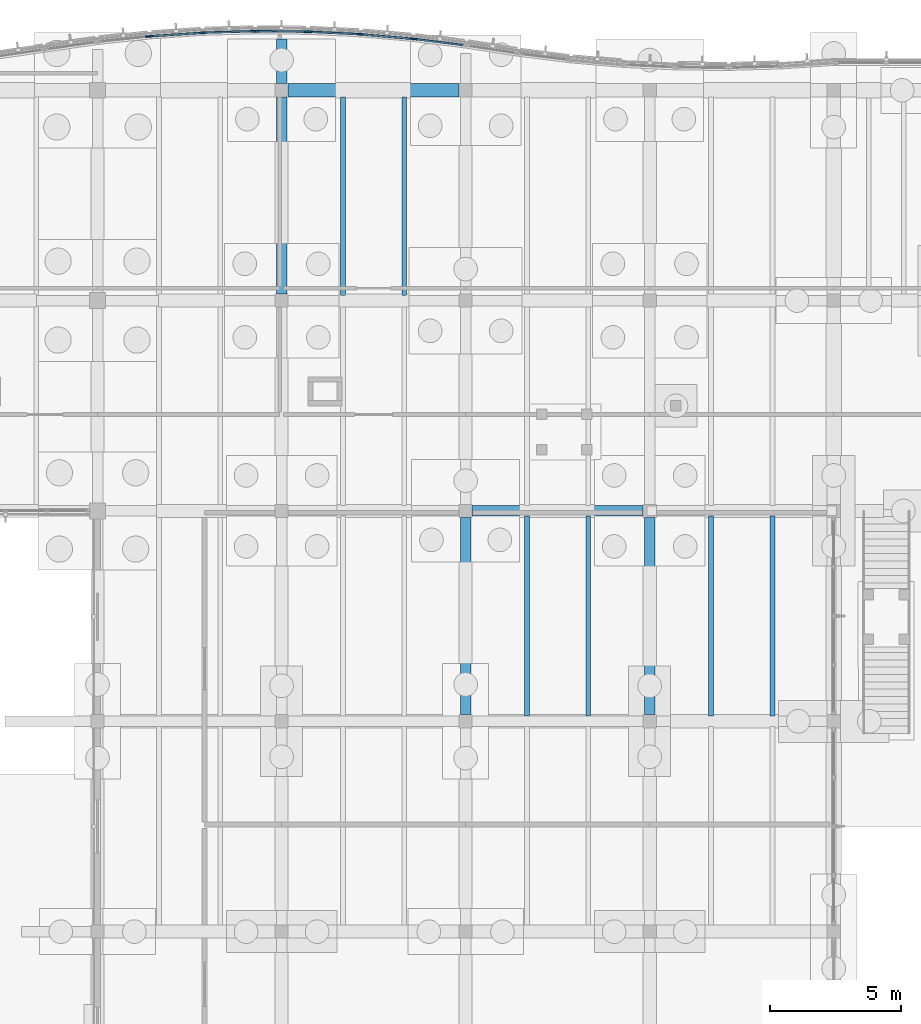
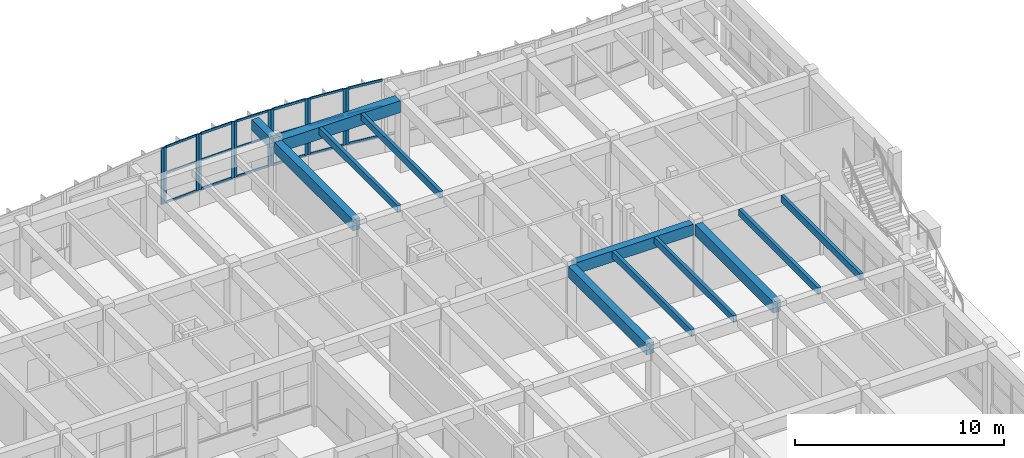
# One storey, part 47 of 99: 30 members, 12 beams, 7 elements without a shape of their own.
"""IFC4 building model written with IfcOpenShell, lengths in metres."""

import ifcopenshell
import ifcopenshell.guid

model = None  # the IFC model being written
_history = None  # IfcOwnerHistory: only IFC2X3 demands one
_inside = {}  # id of a spatial element -> (the spatial element, [elements in it])
_under = {}  # id of a project, library or spatial element -> (it, [spatial elements below it])
_declared = {}  # id of a project -> (the project, [libraries it declares])
_typed = {}  # id of a type object -> (the type object, [elements of that type])
_made_of = {}  # id of a material, layer set ... -> (it, [elements and type objects made of it])


def new_model(schema):
    """Start an empty IFC model of exactly this schema.

    Asked for "IFC4X3", IfcOpenShell would pick the latest addendum, in which some entities
    have other attributes; the version numbers below select the first issue.
    IFC2X3 requires an IfcOwnerHistory on every rooted entity: one is made here for all.
    """
    global model, _history
    if schema == "IFC4X3":
        model = ifcopenshell.file(schema_version=(4, 3, 0, 0))
    else:
        model = ifcopenshell.file(schema=schema)
    _inside.clear()
    _under.clear()
    _declared.clear()
    _typed.clear()
    _made_of.clear()
    _history = None
    if model.schema == "IFC2X3":
        org = make("IfcOrganization", Name="unknown")
        user = make(
            "IfcPersonAndOrganization",
            ThePerson=make("IfcPerson", FamilyName="unknown"),
            TheOrganization=org,
        )
        app = make(
            "IfcApplication",
            ApplicationDeveloper=org,
            Version="unknown",
            ApplicationFullName="unknown",
            ApplicationIdentifier="unknown",
        )
        _history = make(
            "IfcOwnerHistory",
            OwningUser=user,
            OwningApplication=app,
            ChangeAction="ADDED",
            CreationDate=0,
        )
    return model


def make(cls, **values):
    """One entity of the class cls with the attributes given. An attribute that is None is left unset."""
    return model.create_entity(
        cls, **{name: value for name, value in values.items() if value is not None}
    )


def rooted(cls, **values):
    """An entity with a GlobalId (a new one), such as an element, a storey or a relation."""
    return make(cls, GlobalId=ifcopenshell.guid.new(), OwnerHistory=_history, **values)


def si_unit(unit_type, name, prefix=None):
    """IfcSIUnit, for example si_unit("LENGTHUNIT", "METRE", prefix="MILLI")."""
    return make("IfcSIUnit", UnitType=unit_type, Prefix=prefix, Name=name)


def assignment(units):
    """IfcUnitAssignment: the units of a project."""
    return None if units is None else make("IfcUnitAssignment", Units=units)


def point(xyz):
    """IfcCartesianPoint."""
    return None if xyz is None else make("IfcCartesianPoint", Coordinates=xyz)


def direction(xyz):
    """IfcDirection."""
    return None if xyz is None else make("IfcDirection", DirectionRatios=xyz)


def frame(location, z_axis=None, x_axis=None):
    """IfcAxis2Placement3D, a coordinate frame: its origin and axes. An axis left out is left unset."""
    return make(
        "IfcAxis2Placement3D",
        Location=point(location),
        Axis=direction(z_axis),
        RefDirection=direction(x_axis),
    )


def frame_2d(location, x_axis=None):
    """IfcAxis2Placement2D, a coordinate frame in the plane: its origin and x axis."""
    return make(
        "IfcAxis2Placement2D", Location=point(location), RefDirection=direction(x_axis)
    )


def origin():
    """The frame at (0, 0, 0) with its axes left unset."""
    return frame((0.0, 0.0, 0.0))


def origin_2d():
    """The frame at (0, 0) in the plane with its x axis left unset."""
    return frame_2d((0.0, 0.0))


def place(relative_to, where):
    """IfcLocalPlacement: puts the frame where relative to a parent placement (None: the world)."""
    return make(
        "IfcLocalPlacement", PlacementRelTo=relative_to, RelativePlacement=where
    )


def context(
    kind, dimensions, precision=None, world=None, true_north=None, identifier=None
):
    """IfcGeometricRepresentationContext, for example the 3D "Model" context."""
    return make(
        "IfcGeometricRepresentationContext",
        ContextIdentifier=identifier,
        ContextType=kind,
        CoordinateSpaceDimension=dimensions,
        Precision=precision,
        WorldCoordinateSystem=world,
        TrueNorth=true_north,
    )


def subcontext(parent, identifier, kind, view, scale=None):
    """IfcGeometricRepresentationSubContext, for example "Body" below "Model"."""
    return make(
        "IfcGeometricRepresentationSubContext",
        ContextIdentifier=identifier,
        ContextType=kind,
        ParentContext=parent,
        TargetScale=scale,
        TargetView=view,
    )


def project(units=None, contexts=None):
    """IfcProject with its units and contexts."""
    return rooted(
        "IfcProject",
        Name="project",
        RepresentationContexts=contexts,
        UnitsInContext=assignment(units),
    )


def spatial(cls, under=None, at=None, **own):
    """A site, building, storey or space (cls), placed at a placement, below another one or the project."""
    s = rooted(cls, ObjectPlacement=at, **own)
    if under is not None:
        _under.setdefault(under.id(), (under, []))[1].append(s)
    return s


def profile(cls, at=None, kind="AREA", **sizes):
    """A parametric profile (cls). Its sizes go by their IFC names, for example OverallWidth=200.0."""
    return make(cls, ProfileType=kind, Position=at, **sizes)


def rectangle(**sizes):
    """IfcRectangleProfileDef."""
    return profile("IfcRectangleProfileDef", **sizes)


def extrude(swept, where, along, depth):
    """IfcExtrudedAreaSolid: the profile swept, set in the frame where, extruded along a direction by depth."""
    return make(
        "IfcExtrudedAreaSolid",
        SweptArea=swept,
        Position=where,
        ExtrudedDirection=direction(along),
        Depth=depth,
    )


def shape(context_of_items, identifier, shape_type, items):
    """IfcShapeRepresentation: the items that make up one representation, for example the "Body"."""
    return make(
        "IfcShapeRepresentation",
        ContextOfItems=context_of_items,
        RepresentationIdentifier=identifier,
        RepresentationType=shape_type,
        Items=items,
    )


def material(Name=None, Category=None):
    """IfcMaterial."""
    return make("IfcMaterial", Name=Name, Category=Category)


def layer(
    of_material, thickness, ventilated=None, Name=None, Category=None, Priority=None
):
    """IfcMaterialLayer: one layer of a wall or slab, of a material (None: an air gap)."""
    return make(
        "IfcMaterialLayer",
        Material=of_material,
        LayerThickness=thickness,
        IsVentilated=ventilated,
        Name=Name,
        Category=Category,
        Priority=Priority,
    )


def layer_set(layers, Name=None):
    """IfcMaterialLayerSet."""
    return make("IfcMaterialLayerSet", MaterialLayers=layers, LayerSetName=Name)


def material_profile(
    of_material, cross_section, Name=None, Category=None, Priority=None
):
    """IfcMaterialProfile: a cross section and its material."""
    return make(
        "IfcMaterialProfile",
        Name=Name,
        Material=of_material,
        Profile=cross_section,
        Priority=Priority,
        Category=Category,
    )


def profile_set(profiles, Name=None, composite=None):
    """IfcMaterialProfileSet."""
    return make(
        "IfcMaterialProfileSet",
        Name=Name,
        MaterialProfiles=profiles,
        CompositeProfile=composite,
    )


def made_of(thing, what):
    """Note that an element or type object is made of a material, layer set ...; save() writes the relation."""
    if what is not None:
        _made_of.setdefault(what.id(), (what, []))[1].append(thing)
    return thing


def type_object(cls, material=None, **own):
    """A type object (cls), such as IfcWallType, which elements share."""
    return made_of(rooted(cls, **own), material)


def element(
    cls,
    number,
    at=None,
    inside=None,
    cuts=None,
    type_object=None,
    material=None,
    context=None,
    identifier="Body",
    shape_type=None,
    held_by="IfcProductDefinitionShape",
    body=None,
    shapes=None,
    **own,
):
    """One element of the class cls, such as IfcWall. Its Tag is "e" and its number.

    at: its placement. inside: the storey or other place that contains it. cuts: it is an
    opening in that element (IfcRelVoidsElement). A single representation is given by context,
    identifier, shape_type and body (its items); several are given by shapes. held_by: the class
    of the entity that holds the representations. save() writes the other relations.
    """
    e = rooted(cls, Tag="e%d" % number, ObjectPlacement=at, **own)
    if body is not None:
        shapes = [shape(context, identifier, shape_type, body)]
    if shapes is not None:
        e.Representation = make(held_by, Representations=shapes)
    if inside is not None:
        _inside.setdefault(inside.id(), (inside, []))[1].append(e)
    if cuts is not None:
        rooted(
            "IfcRelVoidsElement", RelatingBuildingElement=cuts, RelatedOpeningElement=e
        )
    if type_object is not None:
        _typed.setdefault(type_object.id(), (type_object, []))[1].append(e)
    return made_of(e, material)


def aggregate(whole, parts):
    """IfcRelAggregates: a whole, such as a stair, and the parts it consists of."""
    return rooted("IfcRelAggregates", RelatingObject=whole, RelatedObjects=parts)


def save(model, path):
    """Write the relations noted so far, then the file.

    IfcRelAggregates (storeys below a building ...), IfcRelContainedInSpatialStructure (elements
    in a storey), IfcRelDefinesByType, IfcRelAssociatesMaterial and IfcRelDeclares: one each for
    every whole, place, type object, material and project.
    """
    for whole, parts in _under.values():
        aggregate(whole, parts)
    for where, things in _inside.values():
        rooted(
            "IfcRelContainedInSpatialStructure",
            RelatedElements=things,
            RelatingStructure=where,
        )
    for kind, things in _typed.values():
        rooted("IfcRelDefinesByType", RelatedObjects=things, RelatingType=kind)
    for what, things in _made_of.values():
        rooted("IfcRelAssociatesMaterial", RelatedObjects=things, RelatingMaterial=what)
    for by, libraries in _declared.values():
        rooted("IfcRelDeclares", RelatingContext=by, RelatedDefinitions=libraries)
    model.write(path)


model = new_model("IFC4")

# Units and contexts
model_context = context("Model", 3, precision=1e-05, world=origin(), true_north=direction((0.0, 1.0)))
body_context = subcontext(model_context, "Body", "Model", "MODEL_VIEW")
ifc_project = project(units=[si_unit("LENGTHUNIT", "METRE"), si_unit("AREAUNIT", "SQUARE_METRE"), si_unit("VOLUMEUNIT", "CUBIC_METRE"), si_unit("PLANEANGLEUNIT", "RADIAN"), si_unit("MASSUNIT", "GRAM", prefix="KILO")], contexts=[model_context])

# Site, building, storey
site_placement = place(None, origin())
site = spatial("IfcSite", under=ifc_project, at=site_placement, CompositionType="ELEMENT")
building_placement = place(site_placement, origin())
building = spatial("IfcBuilding", under=site, at=building_placement, Name="Tonlespit Floodbar School", CompositionType="ELEMENT")
storey_placement = place(building_placement, origin())
storey = spatial("IfcBuildingStorey", under=building, at=storey_placement, Name="L00", CompositionType="ELEMENT", Elevation=0.0)

# Beams
ifc_material_1 = material(Name="Concrete C40/50", Category="concrete")
ifc_material_profile_1 = material_profile(ifc_material_1, rectangle(XDim=0.39990234375, YDim=0.64990234375, at=origin_2d()), Name="RC 400x650")
ifc_profile_set_1 = profile_set([ifc_material_profile_1], Name="Concrete C40/50")
beam_type_1 = type_object("IfcBeamType", Name="Beam_RC_400x650", PredefinedType="BEAM", material=ifc_profile_set_1)
beam_1_placement = place(storey_placement, frame((162.25, 104.0, 3.9150390625), z_axis=(1.0, 0.0, 0.0), x_axis=(0.0, 1.0, 0.0)))
element("IfcBeam", 1, at=beam_1_placement, inside=storey, type_object=beam_type_1, Name="L00 girder 0138", PredefinedType="BEAM", context=body_context, shape_type="SweptSolid", body=[
    extrude(rectangle(XDim=0.39990234375, YDim=0.64990234375, at=origin_2d()), origin(), (0.0, 0.0, 1.0), 6.5),
])
for number, where, z_axis, x_axis, name in (
    (2, (155.0, 112.25, 3.9150390625), (0.0, 1.0, 0.0), (-1.0, 0.0, 0.0), "L00 girder 0297"),
    (3, (162.0, 96.25, 3.9150390625), (0.0, 1.0, 0.0), (-1.0, 0.0, 0.0), "L00 girder 0303"),
    (4, (169.0, 96.25, 3.9150390625), (0.0, 1.0, 0.0), (-1.0, 0.0, 0.0), "L00 girder 0311"),
):
    element("IfcBeam", number, at=place(storey_placement, frame(where, z_axis=z_axis, x_axis=x_axis)), inside=storey, type_object=beam_type_1, Name=name, PredefinedType="BEAM", context=body_context, shape_type="SweptSolid", body=[
        extrude(rectangle(XDim=0.39990234375, YDim=0.64990234375, at=origin_2d()), origin(), (0.0, 0.0, 1.0), 7.5),
    ])
beam_2_placement = place(storey_placement, frame((155.0, 120.25, 3.9150390625), z_axis=(0.0, 1.0, 0.0), x_axis=(-1.0, 0.0, 0.0)))
element("IfcBeam", 5, at=beam_2_placement, inside=storey, type_object=beam_type_1, Name="L00 north street wave cantilever bracket", PredefinedType="BEAM", context=body_context, shape_type="SweptSolid", body=[
    extrude(rectangle(XDim=0.39990234375, YDim=0.64990234375, at=origin_2d()), origin(), (0.0, 0.0, 1.0), 1.697021484375),
])

# Curtain wall, members
ifc_material_2 = material(Name="Anodised Aluminium", Category="aluminium")
ifc_layer_1 = layer(ifc_material_2, 0.159912109375)
ifc_layer_set_1 = layer_set([ifc_layer_1], Name="Anodised Aluminium")
curtain_wall_type_1 = type_object("IfcCurtainWallType", Name="CurtainWall_1900x3300", PredefinedType="NOTDEFINED", material=ifc_layer_set_1)
curtain_wall_1_placement = place(storey_placement, origin())
curtain_wall_1 = element("IfcCurtainWall", 6, at=curtain_wall_1_placement, inside=storey, type_object=curtain_wall_type_1, Name="L00 unitised curtain wall 0356", PredefinedType="NOTDEFINED")
ifc_material_profile_2 = material_profile(ifc_material_2, rectangle(XDim=0.06494140625, YDim=0.14990234375, at=origin_2d()), Name="ALU M65x150")
ifc_profile_set_2 = profile_set([ifc_material_profile_2], Name="Anodised Aluminium")
member_type_1 = type_object("IfcMemberType", Name="CW_Mullion_65x150", PredefinedType="MULLION", material=ifc_profile_set_2)
member_1_placement = place(storey_placement, frame((150.072265625, 122.05908203125, 0.949951171875), z_axis=(0.0, 0.0, 1.0), x_axis=(-0.067339767311, 0.99773010165, 0.0)))
member_1 = element("IfcMember", 7, at=member_1_placement, type_object=member_type_1, Name="CW-02 mullion 1", PredefinedType="MULLION", context=body_context, shape_type="SweptSolid", body=[
    extrude(rectangle(XDim=0.06494140625, YDim=0.14990234375, at=origin_2d()), origin(), (0.0, 0.0, 1.0), 3.2900390625),
])
member_2_placement = place(storey_placement, frame((151.927734375, 122.184326171875, 0.949951171875), z_axis=(0.0, 0.0, 1.0), x_axis=(-0.067339767311, 0.99773010165, 0.0)))
member_2 = element("IfcMember", 8, at=member_2_placement, type_object=member_type_1, Name="CW-02 mullion 2", PredefinedType="MULLION", context=body_context, shape_type="SweptSolid", body=[
    extrude(rectangle(XDim=0.06494140625, YDim=0.14990234375, at=origin_2d()), origin(), (0.0, 0.0, 1.0), 3.2900390625),
])

curtain_wall_2_placement = place(storey_placement, origin())
curtain_wall_2 = element("IfcCurtainWall", 9, at=curtain_wall_2_placement, inside=storey, type_object=curtain_wall_type_1, Name="L00 unitised curtain wall 0358", PredefinedType="NOTDEFINED")
member_3_placement = place(storey_placement, frame((154.072509765625, 122.246337890625, 0.949951171875), z_axis=(0.0, 0.0, 1.0), x_axis=(0.009582893292, 0.999954083024, 0.0)))
member_3 = element("IfcMember", 10, at=member_3_placement, type_object=member_type_1, Name="CW-02 mullion 1", PredefinedType="MULLION", context=body_context, shape_type="SweptSolid", body=[
    extrude(rectangle(XDim=0.06494140625, YDim=0.14990234375, at=origin_2d()), origin(), (0.0, 0.0, 1.0), 3.2900390625),
])
member_4_placement = place(storey_placement, frame((155.927490234375, 122.228515625, 0.949951171875), z_axis=(0.0, 0.0, 1.0), x_axis=(0.009582893292, 0.999954083024, 0.0)))
member_4 = element("IfcMember", 11, at=member_4_placement, type_object=member_type_1, Name="CW-02 mullion 2", PredefinedType="MULLION", context=body_context, shape_type="SweptSolid", body=[
    extrude(rectangle(XDim=0.06494140625, YDim=0.14990234375, at=origin_2d()), origin(), (0.0, 0.0, 1.0), 3.2900390625),
])

ifc_layer_2 = layer(ifc_material_2, 0.159912109375)
ifc_layer_set_2 = layer_set([ifc_layer_2], Name="Anodised Aluminium")
curtain_wall_type_2 = type_object("IfcCurtainWallType", Name="CurtainWall_1950x3300", PredefinedType="NOTDEFINED", material=ifc_layer_set_2)
curtain_wall_3_placement = place(storey_placement, origin())
curtain_wall_3 = element("IfcCurtainWall", 12, at=curtain_wall_3_placement, inside=storey, type_object=curtain_wall_type_2, Name="L00 unitised curtain wall 0360", PredefinedType="NOTDEFINED")
member_5_placement = place(storey_placement, frame((158.072265625, 122.125244140625, 0.949951171875), z_axis=(0.0, 0.0, 1.0), x_axis=(0.086531117454, 0.996249148412, 0.0)))
member_5 = element("IfcMember", 13, at=member_5_placement, type_object=member_type_1, Name="CW-01 mullion 1", PredefinedType="MULLION", context=body_context, shape_type="SweptSolid", body=[
    extrude(rectangle(XDim=0.06494140625, YDim=0.14990234375, at=origin_2d()), origin(), (0.0, 0.0, 1.0), 3.2900390625),
])
member_6_placement = place(storey_placement, frame((159.927734375, 121.964111328125, 0.949951171875), z_axis=(0.0, 0.0, 1.0), x_axis=(0.086531117454, 0.996249148412, 0.0)))
member_6 = element("IfcMember", 14, at=member_6_placement, type_object=member_type_1, Name="CW-01 mullion 2", PredefinedType="MULLION", context=body_context, shape_type="SweptSolid", body=[
    extrude(rectangle(XDim=0.06494140625, YDim=0.14990234375, at=origin_2d()), origin(), (0.0, 0.0, 1.0), 3.2900390625),
])

# Curtain wall, member
curtain_wall_4_placement = place(storey_placement, origin())
curtain_wall_4 = element("IfcCurtainWall", 15, at=curtain_wall_4_placement, inside=storey, type_object=curtain_wall_type_2, Name="L00 unitised curtain wall 0355", PredefinedType="NOTDEFINED")
ifc_material_profile_3 = material_profile(ifc_material_2, rectangle(XDim=0.06494140625, YDim=0.179931640625, at=origin_2d()), Name="ALU M65x180")
ifc_profile_set_3 = profile_set([ifc_material_profile_3], Name="Anodised Aluminium")
member_type_2 = type_object("IfcMemberType", Name="CW_Mullion_65x180", PredefinedType="MULLION", material=ifc_profile_set_3)
member_7_placement = place(storey_placement, frame((149.927978515625, 122.046630859375, 0.949951171875), z_axis=(0.0, 0.0, 1.0), x_axis=(-0.105787143968, 0.994388797288, 0.0)))
member_7 = element("IfcMember", 16, at=member_7_placement, type_object=member_type_2, Name="CW-01 mullion 2", PredefinedType="MULLION", context=body_context, shape_type="SweptSolid", body=[
    extrude(rectangle(XDim=0.06494140625, YDim=0.179931640625, at=origin_2d()), origin(), (0.0, 0.0, 1.0), 3.2900390625),
])
aggregate(curtain_wall_4, [member_7])

# Curtain wall, members
curtain_wall_5_placement = place(storey_placement, origin())
curtain_wall_5 = element("IfcCurtainWall", 17, at=curtain_wall_5_placement, inside=storey, type_object=curtain_wall_type_1, Name="L00 unitised curtain wall 0357", PredefinedType="NOTDEFINED")
member_8_placement = place(storey_placement, frame((152.072509765625, 122.19140625, 0.949951171875), z_axis=(0.0, 0.0, 1.0), x_axis=(-0.028790144226, 0.999585477883, 0.0)))
member_8 = element("IfcMember", 18, at=member_8_placement, type_object=member_type_2, Name="CW-02 mullion 1", PredefinedType="MULLION", context=body_context, shape_type="SweptSolid", body=[
    extrude(rectangle(XDim=0.06494140625, YDim=0.179931640625, at=origin_2d()), origin(), (0.0, 0.0, 1.0), 3.2900390625),
])
member_9_placement = place(storey_placement, frame((153.927490234375, 122.244873046875, 0.949951171875), z_axis=(0.0, 0.0, 1.0), x_axis=(-0.028790144226, 0.999585477883, 0.0)))
member_9 = element("IfcMember", 19, at=member_9_placement, type_object=member_type_2, Name="CW-02 mullion 2", PredefinedType="MULLION", context=body_context, shape_type="SweptSolid", body=[
    extrude(rectangle(XDim=0.06494140625, YDim=0.179931640625, at=origin_2d()), origin(), (0.0, 0.0, 1.0), 3.2900390625),
])

curtain_wall_6_placement = place(storey_placement, origin())
curtain_wall_6 = element("IfcCurtainWall", 20, at=curtain_wall_6_placement, inside=storey, type_object=curtain_wall_type_1, Name="L00 unitised curtain wall 0359", PredefinedType="NOTDEFINED")
member_10_placement = place(storey_placement, frame((156.072509765625, 122.224365234375, 0.949951171875), z_axis=(0.0, 0.0, 1.0), x_axis=(0.048121270216, 0.998841500616, 0.0)))
member_10 = element("IfcMember", 21, at=member_10_placement, type_object=member_type_2, Name="CW-02 mullion 1", PredefinedType="MULLION", context=body_context, shape_type="SweptSolid", body=[
    extrude(rectangle(XDim=0.06494140625, YDim=0.179931640625, at=origin_2d()), origin(), (0.0, 0.0, 1.0), 3.2900390625),
])
member_11_placement = place(storey_placement, frame((157.927490234375, 122.135009765625, 0.949951171875), z_axis=(0.0, 0.0, 1.0), x_axis=(0.048121270216, 0.998841500616, 0.0)))
member_11 = element("IfcMember", 22, at=member_11_placement, type_object=member_type_2, Name="CW-02 mullion 2", PredefinedType="MULLION", context=body_context, shape_type="SweptSolid", body=[
    extrude(rectangle(XDim=0.06494140625, YDim=0.179931640625, at=origin_2d()), origin(), (0.0, 0.0, 1.0), 3.2900390625),
])

# Curtain wall, member
curtain_wall_7_placement = place(storey_placement, origin())
curtain_wall_7 = element("IfcCurtainWall", 23, at=curtain_wall_7_placement, inside=storey, type_object=curtain_wall_type_2, Name="L00 unitised curtain wall 0361", PredefinedType="NOTDEFINED")
member_12_placement = place(storey_placement, frame((160.072021484375, 121.94873046875, 0.949951171875), z_axis=(0.0, 0.0, 1.0), x_axis=(0.125013803299, 0.992155002499, 0.0)))
member_12 = element("IfcMember", 24, at=member_12_placement, type_object=member_type_2, Name="CW-01 mullion 1", PredefinedType="MULLION", context=body_context, shape_type="SweptSolid", body=[
    extrude(rectangle(XDim=0.06494140625, YDim=0.179931640625, at=origin_2d()), origin(), (0.0, 0.0, 1.0), 3.2900390625),
])

# Member
ifc_material_profile_4 = material_profile(ifc_material_2, rectangle(XDim=0.06494140625, YDim=0.1201171875, at=origin_2d()), Name="ALU T65x120")
ifc_profile_set_4 = profile_set([ifc_material_profile_4], Name="Anodised Aluminium")
member_type_3 = type_object("IfcMemberType", Name="CW_Transom_65x120", PredefinedType="USERDEFINED", material=ifc_profile_set_4)
member_13_placement = place(storey_placement, frame((150.104736328125, 122.061279296875, 0.982421875), z_axis=(0.997730041674, 0.067340655935, 0.0), x_axis=(-0.067340655935, 0.997730041674, 0.0)))
member_13 = element("IfcMember", 25, at=member_13_placement, type_object=member_type_3, Name="CW-02 transom 1.1", ObjectType="TRANSOM", PredefinedType="USERDEFINED", context=body_context, shape_type="SweptSolid", body=[
    extrude(rectangle(XDim=0.06494140625, YDim=0.1201171875, at=origin_2d()), origin(), (0.0, 0.0, 1.0), 1.794677734375),
])

member_14_placement = place(storey_placement, frame((150.104736328125, 122.061279296875, 2.660888671875), z_axis=(0.997730041674, 0.067340655935, 0.0), x_axis=(-0.067340655935, 0.997730041674, 0.0)))
member_14 = element("IfcMember", 26, at=member_14_placement, type_object=member_type_3, Name="CW-02 transom 1.2", ObjectType="TRANSOM", PredefinedType="USERDEFINED", context=body_context, shape_type="SweptSolid", body=[
    extrude(rectangle(XDim=0.06494140625, YDim=0.1201171875, at=origin_2d()), origin(), (0.0, 0.0, 1.0), 1.794677734375),
])

member_15_placement = place(storey_placement, frame((150.104736328125, 122.061279296875, 4.20751953125), z_axis=(0.997730041674, 0.067340655935, 0.0), x_axis=(-0.067340655935, 0.997730041674, 0.0)))
member_15 = element("IfcMember", 27, at=member_15_placement, type_object=member_type_3, Name="CW-02 transom 1.3", ObjectType="TRANSOM", PredefinedType="USERDEFINED", context=body_context, shape_type="SweptSolid", body=[
    extrude(rectangle(XDim=0.06494140625, YDim=0.1201171875, at=origin_2d()), origin(), (0.0, 0.0, 1.0), 1.794677734375),
])

aggregate(curtain_wall_1, [member_1, member_2, member_13, member_14, member_15])

member_16_placement = place(storey_placement, frame((154.10498046875, 122.24609375, 0.982421875), z_axis=(0.999953117448, -0.009683124842, 0.0), x_axis=(0.009683124842, 0.999953117448, 0.0)))
member_16 = element("IfcMember", 28, at=member_16_placement, type_object=member_type_3, Name="CW-02 transom 1.1", ObjectType="TRANSOM", PredefinedType="USERDEFINED", context=body_context, shape_type="SweptSolid", body=[
    extrude(rectangle(XDim=0.06494140625, YDim=0.1201171875, at=origin_2d()), origin(), (0.0, 0.0, 1.0), 1.7900390625),
])

member_17_placement = place(storey_placement, frame((154.10498046875, 122.24609375, 2.660888671875), z_axis=(0.999953117448, -0.009683124842, 0.0), x_axis=(0.009683124842, 0.999953117448, 0.0)))
member_17 = element("IfcMember", 29, at=member_17_placement, type_object=member_type_3, Name="CW-02 transom 1.2", ObjectType="TRANSOM", PredefinedType="USERDEFINED", context=body_context, shape_type="SweptSolid", body=[
    extrude(rectangle(XDim=0.06494140625, YDim=0.1201171875, at=origin_2d()), origin(), (0.0, 0.0, 1.0), 1.7900390625),
])

member_18_placement = place(storey_placement, frame((154.10498046875, 122.24609375, 4.20751953125), z_axis=(0.999953117448, -0.009683124842, 0.0), x_axis=(0.009683124842, 0.999953117448, 0.0)))
member_18 = element("IfcMember", 30, at=member_18_placement, type_object=member_type_3, Name="CW-02 transom 1.3", ObjectType="TRANSOM", PredefinedType="USERDEFINED", context=body_context, shape_type="SweptSolid", body=[
    extrude(rectangle(XDim=0.06494140625, YDim=0.1201171875, at=origin_2d()), origin(), (0.0, 0.0, 1.0), 1.7900390625),
])

aggregate(curtain_wall_2, [member_3, member_4, member_16, member_17, member_18])

member_19_placement = place(storey_placement, frame((158.1044921875, 122.122314453125, 0.982421875), z_axis=(0.996251281774, -0.086506552139, 0.0), x_axis=(0.086506552139, 0.996251281774, 0.0)))
member_19 = element("IfcMember", 31, at=member_19_placement, type_object=member_type_3, Name="CW-01 transom 1.1", ObjectType="TRANSOM", PredefinedType="USERDEFINED", context=body_context, shape_type="SweptSolid", body=[
    extrude(rectangle(XDim=0.06494140625, YDim=0.1201171875, at=origin_2d()), origin(), (0.0, 0.0, 1.0), 1.7978515625),
])

member_20_placement = place(storey_placement, frame((158.1044921875, 122.122314453125, 2.660888671875), z_axis=(0.996251281774, -0.086506552139, 0.0), x_axis=(0.086506552139, 0.996251281774, 0.0)))
member_20 = element("IfcMember", 32, at=member_20_placement, type_object=member_type_3, Name="CW-01 transom 1.2", ObjectType="TRANSOM", PredefinedType="USERDEFINED", context=body_context, shape_type="SweptSolid", body=[
    extrude(rectangle(XDim=0.06494140625, YDim=0.1201171875, at=origin_2d()), origin(), (0.0, 0.0, 1.0), 1.7978515625),
])

member_21_placement = place(storey_placement, frame((158.1044921875, 122.122314453125, 4.20751953125), z_axis=(0.996251281774, -0.086506552139, 0.0), x_axis=(0.086506552139, 0.996251281774, 0.0)))
member_21 = element("IfcMember", 33, at=member_21_placement, type_object=member_type_3, Name="CW-01 transom 1.3", ObjectType="TRANSOM", PredefinedType="USERDEFINED", context=body_context, shape_type="SweptSolid", body=[
    extrude(rectangle(XDim=0.06494140625, YDim=0.1201171875, at=origin_2d()), origin(), (0.0, 0.0, 1.0), 1.7978515625),
])

aggregate(curtain_wall_3, [member_5, member_6, member_19, member_20, member_21])

ifc_material_profile_5 = material_profile(ifc_material_2, rectangle(XDim=0.06494140625, YDim=0.139892578125, at=origin_2d()), Name="ALU T65x140")
ifc_profile_set_5 = profile_set([ifc_material_profile_5], Name="Anodised Aluminium")
member_type_4 = type_object("IfcMemberType", Name="CW_Transom_65x140", PredefinedType="USERDEFINED", material=ifc_profile_set_5)
member_22_placement = place(storey_placement, frame((152.10498046875, 122.1923828125, 0.982421875), z_axis=(0.999586171543, 0.02876605049, 0.0), x_axis=(-0.02876605049, 0.999586171543, 0.0)))
member_22 = element("IfcMember", 34, at=member_22_placement, type_object=member_type_4, Name="CW-02 transom 1.1", ObjectType="TRANSOM", PredefinedType="USERDEFINED", context=body_context, shape_type="SweptSolid", body=[
    extrude(rectangle(XDim=0.06494140625, YDim=0.139892578125, at=origin_2d()), origin(), (0.0, 0.0, 1.0), 1.790771484375),
])

member_23_placement = place(storey_placement, frame((152.10498046875, 122.1923828125, 2.660888671875), z_axis=(0.999586171543, 0.02876605049, 0.0), x_axis=(-0.02876605049, 0.999586171543, 0.0)))
member_23 = element("IfcMember", 35, at=member_23_placement, type_object=member_type_4, Name="CW-02 transom 1.2", ObjectType="TRANSOM", PredefinedType="USERDEFINED", context=body_context, shape_type="SweptSolid", body=[
    extrude(rectangle(XDim=0.06494140625, YDim=0.139892578125, at=origin_2d()), origin(), (0.0, 0.0, 1.0), 1.790771484375),
])

member_24_placement = place(storey_placement, frame((152.10498046875, 122.1923828125, 4.20751953125), z_axis=(0.999586171543, 0.02876605049, 0.0), x_axis=(-0.02876605049, 0.999586171543, 0.0)))
member_24 = element("IfcMember", 36, at=member_24_placement, type_object=member_type_4, Name="CW-02 transom 1.3", ObjectType="TRANSOM", PredefinedType="USERDEFINED", context=body_context, shape_type="SweptSolid", body=[
    extrude(rectangle(XDim=0.06494140625, YDim=0.139892578125, at=origin_2d()), origin(), (0.0, 0.0, 1.0), 1.790771484375),
])

aggregate(curtain_wall_5, [member_8, member_9, member_22, member_23, member_24])

member_25_placement = place(storey_placement, frame((156.10498046875, 122.22265625, 0.982421875), z_axis=(0.998843034795, -0.048089415069, 0.0), x_axis=(0.048089415069, 0.998843034795, 0.0)))
member_25 = element("IfcMember", 37, at=member_25_placement, type_object=member_type_4, Name="CW-02 transom 1.1", ObjectType="TRANSOM", PredefinedType="USERDEFINED", context=body_context, shape_type="SweptSolid", body=[
    extrude(rectangle(XDim=0.06494140625, YDim=0.139892578125, at=origin_2d()), origin(), (0.0, 0.0, 1.0), 1.7919921875),
])

member_26_placement = place(storey_placement, frame((156.10498046875, 122.22265625, 2.660888671875), z_axis=(0.998843034795, -0.048089415069, 0.0), x_axis=(0.048089415069, 0.998843034795, 0.0)))
member_26 = element("IfcMember", 38, at=member_26_placement, type_object=member_type_4, Name="CW-02 transom 1.2", ObjectType="TRANSOM", PredefinedType="USERDEFINED", context=body_context, shape_type="SweptSolid", body=[
    extrude(rectangle(XDim=0.06494140625, YDim=0.139892578125, at=origin_2d()), origin(), (0.0, 0.0, 1.0), 1.7919921875),
])

member_27_placement = place(storey_placement, frame((156.10498046875, 122.22265625, 4.20751953125), z_axis=(0.998843034795, -0.048089415069, 0.0), x_axis=(0.048089415069, 0.998843034795, 0.0)))
member_27 = element("IfcMember", 39, at=member_27_placement, type_object=member_type_4, Name="CW-02 transom 1.3", ObjectType="TRANSOM", PredefinedType="USERDEFINED", context=body_context, shape_type="SweptSolid", body=[
    extrude(rectangle(XDim=0.06494140625, YDim=0.139892578125, at=origin_2d()), origin(), (0.0, 0.0, 1.0), 1.7919921875),
])

aggregate(curtain_wall_6, [member_10, member_11, member_25, member_26, member_27])

member_28_placement = place(storey_placement, frame((160.104248046875, 121.944580078125, 0.982421875), z_axis=(0.992148373735, -0.125066400341, 0.0), x_axis=(0.125066400341, 0.992148373735, 0.0)))
member_28 = element("IfcMember", 40, at=member_28_placement, type_object=member_type_4, Name="CW-01 transom 1.1", ObjectType="TRANSOM", PredefinedType="USERDEFINED", context=body_context, shape_type="SweptSolid", body=[
    extrude(rectangle(XDim=0.06494140625, YDim=0.139892578125, at=origin_2d()), origin(), (0.0, 0.0, 1.0), 1.8056640625),
])

member_29_placement = place(storey_placement, frame((160.104248046875, 121.944580078125, 2.660888671875), z_axis=(0.992148373735, -0.125066400341, 0.0), x_axis=(0.125066400341, 0.992148373735, 0.0)))
member_29 = element("IfcMember", 41, at=member_29_placement, type_object=member_type_4, Name="CW-01 transom 1.2", ObjectType="TRANSOM", PredefinedType="USERDEFINED", context=body_context, shape_type="SweptSolid", body=[
    extrude(rectangle(XDim=0.06494140625, YDim=0.139892578125, at=origin_2d()), origin(), (0.0, 0.0, 1.0), 1.8056640625),
])

member_30_placement = place(storey_placement, frame((160.104248046875, 121.944580078125, 4.20751953125), z_axis=(0.992148373735, -0.125066400341, 0.0), x_axis=(0.125066400341, 0.992148373735, 0.0)))
member_30 = element("IfcMember", 42, at=member_30_placement, type_object=member_type_4, Name="CW-01 transom 1.3", ObjectType="TRANSOM", PredefinedType="USERDEFINED", context=body_context, shape_type="SweptSolid", body=[
    extrude(rectangle(XDim=0.06494140625, YDim=0.139892578125, at=origin_2d()), origin(), (0.0, 0.0, 1.0), 1.8056640625),
])

aggregate(curtain_wall_7, [member_12, member_28, member_29, member_30])

# Beams
ifc_material_3 = material(Name="Glulam GL28h", Category="wood")
ifc_material_profile_6 = material_profile(ifc_material_3, rectangle(XDim=0.179931640625, YDim=0.39990234375, at=origin_2d()), Name="GL 180x400")
ifc_profile_set_6 = profile_set([ifc_material_profile_6], Name="Glulam GL28h")
beam_type_2 = type_object("IfcBeamType", Name="Joist_GL_180x400", PredefinedType="JOIST", material=ifc_profile_set_6)
for number, where, z_axis, x_axis, name in (
    (43, (164.333251953125, 96.199951171875, 4.0400390625), (0.0, 1.0, 0.0), (-1.0, 0.0, 0.0), "L00 secondary joist 0500"),
    (44, (166.666748046875, 96.199951171875, 4.0400390625), (0.0, 1.0, 0.0), (-1.0, 0.0, 0.0), "L00 secondary joist 0501"),
    (45, (171.333251953125, 96.199951171875, 4.0400390625), (0.0, 1.0, 0.0), (-1.0, 0.0, 0.0), "L00 secondary joist 0502"),
    (46, (173.666748046875, 96.199951171875, 4.0400390625), (0.0, 1.0, 0.0), (-1.0, 0.0, 0.0), "L00 secondary joist 0503"),
):
    element("IfcBeam", number, at=place(storey_placement, frame(where, z_axis=z_axis, x_axis=x_axis)), inside=storey, type_object=beam_type_2, Name=name, PredefinedType="JOIST", context=body_context, shape_type="SweptSolid", body=[
        extrude(rectangle(XDim=0.179931640625, YDim=0.39990234375, at=origin_2d()), origin(), (0.0, 0.0, 1.0), 7.60009765625),
    ])
for number, where, z_axis, x_axis, name in (
    (47, (157.333251953125, 112.199951171875, 4.0400390625), (0.0, 1.0, 0.0), (-1.0, 0.0, 0.0), "L00 secondary joist 0537"),
    (48, (159.666748046875, 112.199951171875, 4.0400390625), (0.0, 1.0, 0.0), (-1.0, 0.0, 0.0), "L00 secondary joist 0538"),
):
    element("IfcBeam", number, at=place(storey_placement, frame(where, z_axis=z_axis, x_axis=x_axis)), inside=storey, type_object=beam_type_2, Name=name, PredefinedType="JOIST", context=body_context, shape_type="SweptSolid", body=[
        extrude(rectangle(XDim=0.179931640625, YDim=0.39990234375, at=origin_2d()), origin(), (0.0, 0.0, 1.0), 7.550048828125),
    ])
ifc_material_profile_7 = material_profile(ifc_material_1, rectangle(XDim=0.5, YDim=0.699951171875, at=origin_2d()), Name="RC 500x700")
ifc_profile_set_7 = profile_set([ifc_material_profile_7], Name="Concrete C40/50")
beam_type_3 = type_object("IfcBeamType", Name="Spandrel_RC_500x700", PredefinedType="SPANDREL", material=ifc_profile_set_7)
beam_3_placement = place(storey_placement, frame((155.25, 120.0, 3.889892578125), z_axis=(1.0, 0.0, 0.0), x_axis=(0.0, 1.0, 0.0)))
element("IfcBeam", 49, at=beam_3_placement, inside=storey, type_object=beam_type_3, Name="L00 girder 0164", PredefinedType="SPANDREL", context=body_context, shape_type="SweptSolid", body=[
    extrude(rectangle(XDim=0.5, YDim=0.699951171875, at=origin_2d()), origin(), (0.0, 0.0, 1.0), 6.5),
])

save(model, "model.ifc")
